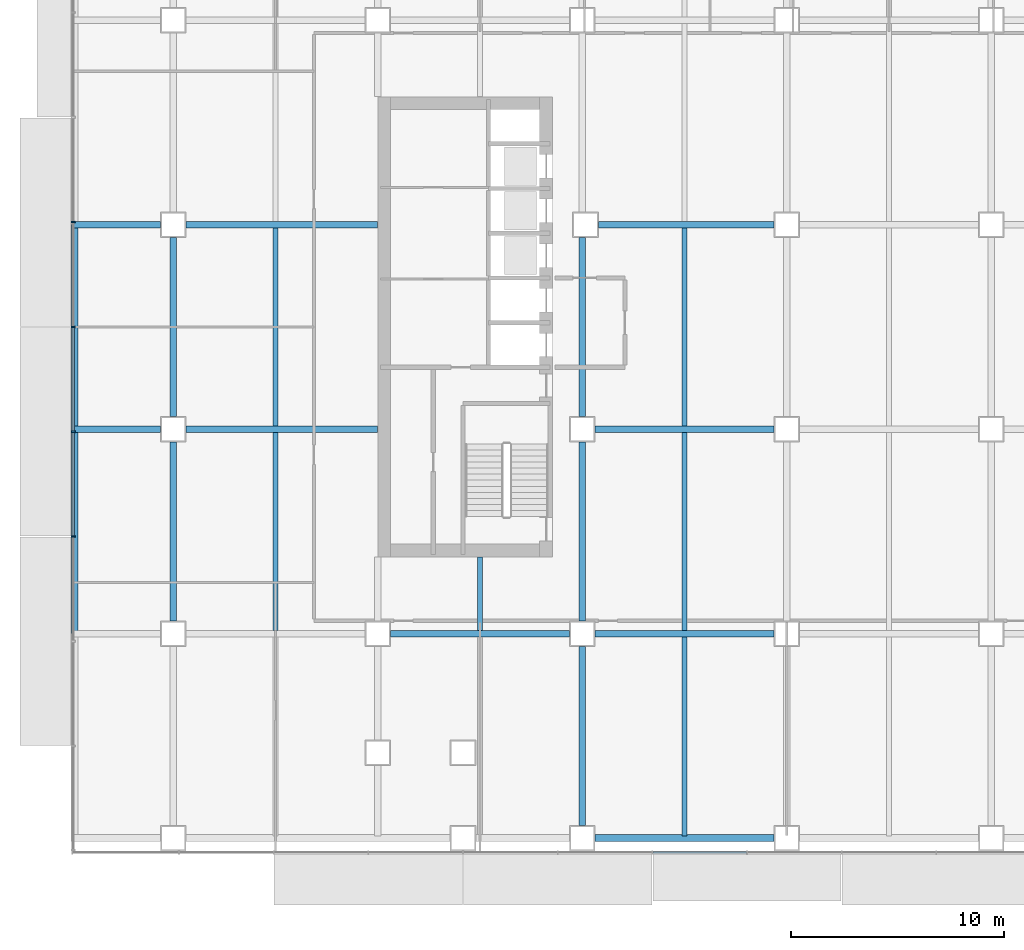
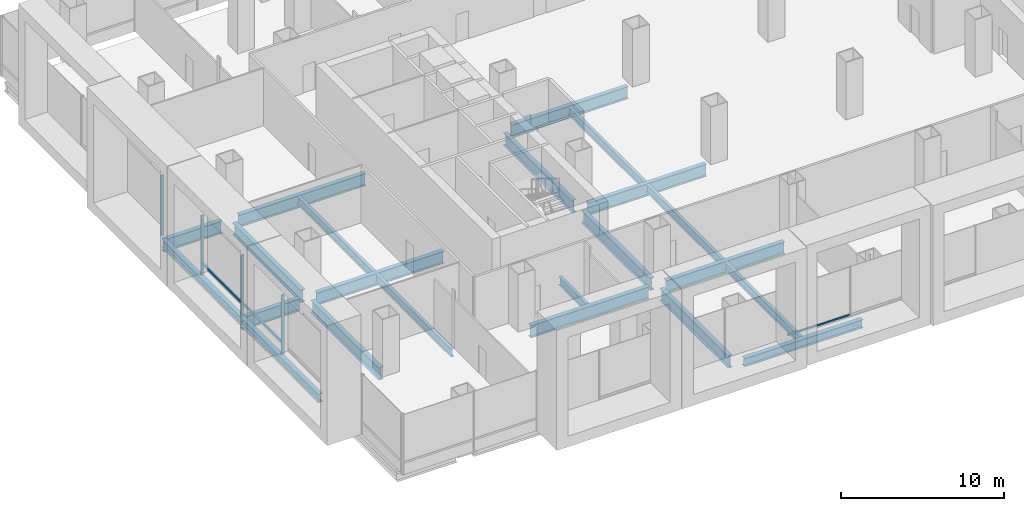
# One storey, part 3 of 23: 22 beams, 7 members, 2 elements without a shape of their own.
"""IFC4 building model written with IfcOpenShell, lengths in metres."""

from ifc_helpers import new_model, si_unit, direction, frame, origin, origin_2d, place, context, subcontext, project, spatial, rectangle, i_section, extrude, material, material_profile, profile_set, type_object, element, aggregate, save


model = new_model("IFC4")

# Units and contexts
model_context = context("Model", 3, precision=1e-05, world=origin(), true_north=direction((0.0, 1.0)))
body_context = subcontext(model_context, "Body", "Model", "MODEL_VIEW")
ifc_project = project(units=[si_unit("LENGTHUNIT", "METRE"), si_unit("AREAUNIT", "SQUARE_METRE"), si_unit("VOLUMEUNIT", "CUBIC_METRE"), si_unit("PLANEANGLEUNIT", "RADIAN"), si_unit("MASSUNIT", "GRAM", prefix="KILO")], contexts=[model_context])

# Site, building, storey
site_placement = place(None, origin())
site = spatial("IfcSite", under=ifc_project, at=site_placement, CompositionType="ELEMENT")
building_placement = place(site_placement, origin())
building = spatial("IfcBuilding", under=site, at=building_placement, Name="Cobrizo Arcos Hotel Tower", CompositionType="ELEMENT")
storey_placement = place(building_placement, frame((0.0, 0.0, 15.5)))
storey = spatial("IfcBuildingStorey", under=building, at=storey_placement, Name="L02", CompositionType="ELEMENT", Elevation=15.5)

# Curtain wall, member
ifc_material_1 = material(Name="Aluminium 6063-T6 anodised bronze", Category="aluminium")
curtain_wall_type_1 = type_object("IfcCurtainWallType", Name="CW-A guest facade", PredefinedType="NOTDEFINED", material=ifc_material_1)
curtain_wall_1_placement = place(storey_placement, origin())
curtain_wall_1 = element("IfcCurtainWall", 1, at=curtain_wall_1_placement, inside=storey, type_object=curtain_wall_type_1, Name="CW-A L02 S face", PredefinedType="NOTDEFINED")
ifc_material_profile_1 = material_profile(ifc_material_1, rectangle(XDim=0.10009765625, YDim=0.1201171875, at=origin_2d()), Name="CW-A transom 120x100")
ifc_profile_set_1 = profile_set([ifc_material_profile_1], Name="Aluminium 6063-T6 anodised bronze")
member_type_1 = type_object("IfcMemberType", Name="CW-A transom 120x100", PredefinedType="USERDEFINED", material=ifc_profile_set_1)
member_1_placement = place(storey_placement, frame((-11.0810546875, -24.675048828125, 0.929931640625), z_axis=(1.0, 0.0, 0.0), x_axis=(0.0, 1.0, 0.0)))
member_1 = element("IfcMember", 2, at=member_1_placement, type_object=member_type_1, Name="CW-A transom 150", ObjectType="TRANSOM", PredefinedType="USERDEFINED", context=body_context, shape_type="SweptSolid", body=[
    extrude(rectangle(XDim=0.10009765625, YDim=0.1201171875, at=origin_2d()), origin(), (0.0, 0.0, 1.0), 4.38427734375),
])
aggregate(curtain_wall_1, [member_1])

# Curtain wall, members
curtain_wall_type_2 = type_object("IfcCurtainWallType", Name="CW-B podium glazing", PredefinedType="NOTDEFINED", material=ifc_material_1)
curtain_wall_2_placement = place(storey_placement, origin())
curtain_wall_2 = element("IfcCurtainWall", 3, at=curtain_wall_2_placement, inside=storey, type_object=curtain_wall_type_2, Name="CW-B L02 W face", PredefinedType="NOTDEFINED")
ifc_material_profile_2 = material_profile(ifc_material_1, rectangle(XDim=0.199951171875, YDim=0.080078125, at=origin_2d()), Name="CW-B mullion 200x80")
ifc_profile_set_2 = profile_set([ifc_material_profile_2], Name="Aluminium 6063-T6 anodised bronze")
member_type_2 = type_object("IfcMemberType", Name="CW-B mullion 200x80", PredefinedType="MULLION", material=ifc_profile_set_2)
member_2_placement = place(storey_placement, frame((-38.300048828125, 4.919921875, 0.0), z_axis=(0.0, 0.0, 1.0), x_axis=(-1.0, 0.0, 0.0)))
member_2 = element("IfcMember", 4, at=member_2_placement, type_object=member_type_2, Name="CW-B mullion 5", PredefinedType="MULLION", context=body_context, shape_type="SweptSolid", body=[
    extrude(rectangle(XDim=0.199951171875, YDim=0.080078125, at=origin_2d()), origin(), (0.0, 0.0, 1.0), 4.5),
])
member_3_placement = place(storey_placement, frame((-38.300048828125, 0.0, 0.0), z_axis=(0.0, 0.0, 1.0), x_axis=(-1.0, 0.0, 0.0)))
member_3 = element("IfcMember", 5, at=member_3_placement, type_object=member_type_2, Name="CW-B mullion 6", PredefinedType="MULLION", context=body_context, shape_type="SweptSolid", body=[
    extrude(rectangle(XDim=0.199951171875, YDim=0.080078125, at=origin_2d()), origin(), (0.0, 0.0, 1.0), 4.5),
])
member_4_placement = place(storey_placement, frame((-38.300048828125, -4.919921875, 0.0), z_axis=(0.0, 0.0, 1.0), x_axis=(-1.0, 0.0, 0.0)))
member_4 = element("IfcMember", 6, at=member_4_placement, type_object=member_type_2, Name="CW-B mullion 7", PredefinedType="MULLION", context=body_context, shape_type="SweptSolid", body=[
    extrude(rectangle(XDim=0.199951171875, YDim=0.080078125, at=origin_2d()), origin(), (0.0, 0.0, 1.0), 4.5),
])
member_5_placement = place(storey_placement, frame((-38.300048828125, -9.840087890625, 0.0), z_axis=(0.0, 0.0, 1.0), x_axis=(-1.0, 0.0, 0.0)))
member_5 = element("IfcMember", 7, at=member_5_placement, type_object=member_type_2, Name="CW-B mullion 8", PredefinedType="MULLION", context=body_context, shape_type="SweptSolid", body=[
    extrude(rectangle(XDim=0.199951171875, YDim=0.080078125, at=origin_2d()), origin(), (0.0, 0.0, 1.0), 4.5),
])
ifc_material_profile_3 = material_profile(ifc_material_1, rectangle(XDim=0.1201171875, YDim=0.159912109375, at=origin_2d()), Name="CW-B transom 160x120")
ifc_profile_set_3 = profile_set([ifc_material_profile_3], Name="Aluminium 6063-T6 anodised bronze")
member_type_3 = type_object("IfcMemberType", Name="CW-B transom 160x120", PredefinedType="USERDEFINED", material=ifc_profile_set_3)
member_6_placement = place(storey_placement, frame((-38.300048828125, -0.0400390625, 0.89990234375), z_axis=(0.0, -1.0, 0.0), x_axis=(1.0, 0.0, 0.0)))
member_6 = element("IfcMember", 8, at=member_6_placement, type_object=member_type_3, Name="CW-B transom 139", ObjectType="TRANSOM", PredefinedType="USERDEFINED", context=body_context, shape_type="SweptSolid", body=[
    extrude(rectangle(XDim=0.1201171875, YDim=0.159912109375, at=origin_2d()), origin(), (0.0, 0.0, 1.0), 4.83984375),
])
member_7_placement = place(storey_placement, frame((-38.300048828125, -4.9599609375, 0.89990234375), z_axis=(0.0, -1.0, 0.0), x_axis=(1.0, 0.0, 0.0)))
member_7 = element("IfcMember", 9, at=member_7_placement, type_object=member_type_3, Name="CW-B transom 140", ObjectType="TRANSOM", PredefinedType="USERDEFINED", context=body_context, shape_type="SweptSolid", body=[
    extrude(rectangle(XDim=0.1201171875, YDim=0.159912109375, at=origin_2d()), origin(), (0.0, 0.0, 1.0), 4.840087890625),
])
aggregate(curtain_wall_2, [member_2, member_3, member_4, member_5, member_6, member_7])

# Beams
ifc_material_2 = material(Name="Steel ASTM A992 Grade 50", Category="steel")
ifc_material_profile_4 = material_profile(ifc_material_2, i_section(OverallWidth=0.32763671875, OverallDepth=0.622314453125, WebThickness=0.015380859375, FlangeThickness=0.0244140625, at=origin_2d()), Name="W24X131")
ifc_profile_set_4 = profile_set([ifc_material_profile_4], Name="Steel ASTM A992 Grade 50")
beam_type_1 = type_object("IfcBeamType", Name="W24X131 edge beam", PredefinedType="BEAM", material=ifc_profile_set_4)
beam_1_placement = place(storey_placement, frame((-38.236083984375, 4.800048828125, -0.510986328125), z_axis=(0.0, -1.0, 0.0), x_axis=(1.0, 0.0, 0.0)))
element("IfcBeam", 10, at=beam_1_placement, inside=storey, type_object=beam_type_1, Name="Edge beam EB1, L02, no. 010", PredefinedType="BEAM", context=body_context, shape_type="SweptSolid", body=[
    extrude(i_section(OverallWidth=0.32763671875, OverallDepth=0.622314453125, WebThickness=0.015380859375, FlangeThickness=0.0244140625, at=origin_2d()), origin(), (0.0, 0.0, 1.0), 9.60009765625),
])
beam_2_placement = place(storey_placement, frame((-38.236083984375, -4.800048828125, -0.510986328125), z_axis=(0.0, -1.0, 0.0), x_axis=(1.0, 0.0, 0.0)))
element("IfcBeam", 11, at=beam_2_placement, inside=storey, type_object=beam_type_1, Name="Edge beam EB1, L02, no. 011", PredefinedType="BEAM", context=body_context, shape_type="SweptSolid", body=[
    extrude(i_section(OverallWidth=0.32763671875, OverallDepth=0.622314453125, WebThickness=0.015380859375, FlangeThickness=0.0244140625, at=origin_2d()), origin(), (0.0, 0.0, 1.0), 9.599853515625),
])
ifc_material_profile_5 = material_profile(ifc_material_2, i_section(OverallWidth=0.32763671875, OverallDepth=0.622314453125, WebThickness=0.015380859375, FlangeThickness=0.0244140625, at=origin_2d()), Name="W24X131")
ifc_profile_set_5 = profile_set([ifc_material_profile_5], Name="Steel ASTM A992 Grade 50")
beam_type_2 = type_object("IfcBeamType", Name="W24X131 spandrel", PredefinedType="SPANDREL", material=ifc_profile_set_5)
beam_3_placement = place(storey_placement, frame((-13.800048828125, -24.0, -0.510986328125), z_axis=(1.0, 0.0, 0.0), x_axis=(0.0, 1.0, 0.0)))
element("IfcBeam", 12, at=beam_3_placement, inside=storey, type_object=beam_type_2, Name="Spandrel beam W24X131, L02, no. 010", PredefinedType="SPANDREL", context=body_context, shape_type="SweptSolid", body=[
    extrude(i_section(OverallWidth=0.32763671875, OverallDepth=0.622314453125, WebThickness=0.015380859375, FlangeThickness=0.0244140625, at=origin_2d()), origin(), (0.0, 0.0, 1.0), 8.400146484375),
])
ifc_material_profile_6 = material_profile(ifc_material_2, i_section(OverallWidth=0.23046875, OverallDepth=0.6171875, WebThickness=0.01318359375, FlangeThickness=0.022216796875, at=origin_2d()), Name="W24X94")
ifc_profile_set_6 = profile_set([ifc_material_profile_6], Name="Steel ASTM A992 Grade 50")
beam_type_3 = type_object("IfcBeamType", Name="W24X94 podium joist", PredefinedType="JOIST", material=ifc_profile_set_6)
beam_4_placement = place(storey_placement, frame((-28.800048828125, -14.246337890625, -0.508544921875), z_axis=(0.0, 1.0, 0.0), x_axis=(-1.0, 0.0, 0.0)))
element("IfcBeam", 13, at=beam_4_placement, inside=storey, type_object=beam_type_3, Name="Podium joist PJ1, L02, no. 002", PredefinedType="JOIST", context=body_context, shape_type="SweptSolid", body=[
    extrude(i_section(OverallWidth=0.23046875, OverallDepth=0.6171875, WebThickness=0.01318359375, FlangeThickness=0.022216796875, at=origin_2d()), origin(), (0.0, 0.0, 1.0), 9.292724609375),
])
beam_5_placement = place(storey_placement, frame((-28.800048828125, -4.646240234375, -0.508544921875), z_axis=(0.0, 1.0, 0.0), x_axis=(-1.0, 0.0, 0.0)))
element("IfcBeam", 14, at=beam_5_placement, inside=storey, type_object=beam_type_3, Name="Podium joist PJ1, L02, no. 003", PredefinedType="JOIST", context=body_context, shape_type="SweptSolid", body=[
    extrude(i_section(OverallWidth=0.23046875, OverallDepth=0.6171875, WebThickness=0.01318359375, FlangeThickness=0.022216796875, at=origin_2d()), origin(), (0.0, 0.0, 1.0), 9.29248046875),
])
beam_6_placement = place(storey_placement, frame((-19.199951171875, -14.246337890625, -0.508544921875), z_axis=(0.0, 1.0, 0.0), x_axis=(-1.0, 0.0, 0.0)))
element("IfcBeam", 15, at=beam_6_placement, inside=storey, type_object=beam_type_3, Name="Podium joist PJ1, L02, no. 007", PredefinedType="JOIST", context=body_context, shape_type="SweptSolid", body=[
    extrude(i_section(OverallWidth=0.23046875, OverallDepth=0.6171875, WebThickness=0.01318359375, FlangeThickness=0.022216796875, at=origin_2d()), origin(), (0.0, 0.0, 1.0), 3.436279296875),
])
beam_7_placement = place(storey_placement, frame((-9.60009765625, -23.909912109375, -0.508544921875), z_axis=(0.0, 1.0, 0.0), x_axis=(-1.0, 0.0, 0.0)))
element("IfcBeam", 16, at=beam_7_placement, inside=storey, type_object=beam_type_3, Name="Podium joist PJ1, L02, no. 010", PredefinedType="JOIST", context=body_context, shape_type="SweptSolid", body=[
    extrude(i_section(OverallWidth=0.23046875, OverallDepth=0.6171875, WebThickness=0.01318359375, FlangeThickness=0.022216796875, at=origin_2d()), origin(), (0.0, 0.0, 1.0), 9.356201171875),
])
beam_8_placement = place(storey_placement, frame((-9.60009765625, -14.246337890625, -0.508544921875), z_axis=(0.0, 1.0, 0.0), x_axis=(-1.0, 0.0, 0.0)))
element("IfcBeam", 17, at=beam_8_placement, inside=storey, type_object=beam_type_3, Name="Podium joist PJ1, L02, no. 011", PredefinedType="JOIST", context=body_context, shape_type="SweptSolid", body=[
    extrude(i_section(OverallWidth=0.23046875, OverallDepth=0.6171875, WebThickness=0.01318359375, FlangeThickness=0.022216796875, at=origin_2d()), origin(), (0.0, 0.0, 1.0), 9.292724609375),
])
beam_9_placement = place(storey_placement, frame((-9.60009765625, -4.646240234375, -0.508544921875), z_axis=(0.0, 1.0, 0.0), x_axis=(-1.0, 0.0, 0.0)))
element("IfcBeam", 18, at=beam_9_placement, inside=storey, type_object=beam_type_3, Name="Podium joist PJ1, L02, no. 012", PredefinedType="JOIST", context=body_context, shape_type="SweptSolid", body=[
    extrude(i_section(OverallWidth=0.23046875, OverallDepth=0.6171875, WebThickness=0.01318359375, FlangeThickness=0.022216796875, at=origin_2d()), origin(), (0.0, 0.0, 1.0), 9.29248046875),
])
ifc_material_profile_7 = material_profile(ifc_material_2, i_section(OverallWidth=0.307373046875, OverallDepth=0.927001953125, WebThickness=0.01953125, FlangeThickness=0.031982421875, at=origin_2d()), Name="W36X194")
ifc_profile_set_7 = profile_set([ifc_material_profile_7], Name="Steel ASTM A992 Grade 50")
beam_type_4 = type_object("IfcBeamType", Name="W36X194 podium girder", PredefinedType="BEAM", material=ifc_profile_set_7)
beam_10_placement = place(storey_placement, frame((-23.39990234375, -14.39990234375, -0.66357421875), z_axis=(1.0, 0.0, 0.0), x_axis=(0.0, 1.0, 0.0)))
element("IfcBeam", 19, at=beam_10_placement, inside=storey, type_object=beam_type_4, Name="Podium girder PG1, L02, no. 003", PredefinedType="BEAM", context=body_context, shape_type="SweptSolid", body=[
    extrude(i_section(OverallWidth=0.307373046875, OverallDepth=0.927001953125, WebThickness=0.01953125, FlangeThickness=0.031982421875, at=origin_2d()), origin(), (0.0, 0.0, 1.0), 8.39990234375),
])
beam_11_placement = place(storey_placement, frame((-13.800048828125, -14.39990234375, -0.66357421875), z_axis=(1.0, 0.0, 0.0), x_axis=(0.0, 1.0, 0.0)))
element("IfcBeam", 20, at=beam_11_placement, inside=storey, type_object=beam_type_4, Name="Podium girder PG1, L02, no. 004", PredefinedType="BEAM", context=body_context, shape_type="SweptSolid", body=[
    extrude(i_section(OverallWidth=0.307373046875, OverallDepth=0.927001953125, WebThickness=0.01953125, FlangeThickness=0.031982421875, at=origin_2d()), origin(), (0.0, 0.0, 1.0), 8.400146484375),
])
beam_12_placement = place(storey_placement, frame((-38.31005859375, -4.800048828125, -0.66357421875), z_axis=(1.0, 0.0, 0.0), x_axis=(0.0, 1.0, 0.0)))
element("IfcBeam", 21, at=beam_12_placement, inside=storey, type_object=beam_type_4, Name="Podium girder PG1, L02, no. 010", PredefinedType="BEAM", context=body_context, shape_type="SweptSolid", body=[
    extrude(i_section(OverallWidth=0.307373046875, OverallDepth=0.927001953125, WebThickness=0.01953125, FlangeThickness=0.031982421875, at=origin_2d()), origin(), (0.0, 0.0, 1.0), 4.110107421875),
])
beam_13_placement = place(storey_placement, frame((-33.0, -4.800048828125, -0.66357421875), z_axis=(1.0, 0.0, 0.0), x_axis=(0.0, 1.0, 0.0)))
element("IfcBeam", 22, at=beam_13_placement, inside=storey, type_object=beam_type_4, Name="Podium girder PG1, L02, no. 011", PredefinedType="BEAM", context=body_context, shape_type="SweptSolid", body=[
    extrude(i_section(OverallWidth=0.307373046875, OverallDepth=0.927001953125, WebThickness=0.01953125, FlangeThickness=0.031982421875, at=origin_2d()), origin(), (0.0, 0.0, 1.0), 8.989990234375),
])
beam_14_placement = place(storey_placement, frame((-13.800048828125, -4.800048828125, -0.66357421875), z_axis=(1.0, 0.0, 0.0), x_axis=(0.0, 1.0, 0.0)))
element("IfcBeam", 23, at=beam_14_placement, inside=storey, type_object=beam_type_4, Name="Podium girder PG1, L02, no. 012", PredefinedType="BEAM", context=body_context, shape_type="SweptSolid", body=[
    extrude(i_section(OverallWidth=0.307373046875, OverallDepth=0.927001953125, WebThickness=0.01953125, FlangeThickness=0.031982421875, at=origin_2d()), origin(), (0.0, 0.0, 1.0), 8.400146484375),
])
beam_15_placement = place(storey_placement, frame((-38.31005859375, 4.800048828125, -0.66357421875), z_axis=(1.0, 0.0, 0.0), x_axis=(0.0, 1.0, 0.0)))
element("IfcBeam", 24, at=beam_15_placement, inside=storey, type_object=beam_type_4, Name="Podium girder PG1, L02, no. 018", PredefinedType="BEAM", context=body_context, shape_type="SweptSolid", body=[
    extrude(i_section(OverallWidth=0.307373046875, OverallDepth=0.927001953125, WebThickness=0.01953125, FlangeThickness=0.031982421875, at=origin_2d()), origin(), (0.0, 0.0, 1.0), 4.110107421875),
])
beam_16_placement = place(storey_placement, frame((-33.0, 4.800048828125, -0.66357421875), z_axis=(1.0, 0.0, 0.0), x_axis=(0.0, 1.0, 0.0)))
element("IfcBeam", 25, at=beam_16_placement, inside=storey, type_object=beam_type_4, Name="Podium girder PG1, L02, no. 019", PredefinedType="BEAM", context=body_context, shape_type="SweptSolid", body=[
    extrude(i_section(OverallWidth=0.307373046875, OverallDepth=0.927001953125, WebThickness=0.01953125, FlangeThickness=0.031982421875, at=origin_2d()), origin(), (0.0, 0.0, 1.0), 8.989990234375),
])
beam_17_placement = place(storey_placement, frame((-13.64990234375, 4.800048828125, -0.66357421875), z_axis=(1.0, 0.0, 0.0), x_axis=(0.0, 1.0, 0.0)))
element("IfcBeam", 26, at=beam_17_placement, inside=storey, type_object=beam_type_4, Name="Podium girder PG1, L02, no. 020", PredefinedType="BEAM", context=body_context, shape_type="SweptSolid", body=[
    extrude(i_section(OverallWidth=0.307373046875, OverallDepth=0.927001953125, WebThickness=0.01953125, FlangeThickness=0.031982421875, at=origin_2d()), origin(), (0.0, 0.0, 1.0), 8.25),
])
beam_18_placement = place(storey_placement, frame((-33.60009765625, -13.800048828125, -0.66357421875), z_axis=(0.0, 1.0, 0.0), x_axis=(-1.0, 0.0, 0.0)))
element("IfcBeam", 27, at=beam_18_placement, inside=storey, type_object=beam_type_4, Name="Podium girder PG1, L02, no. 036", PredefinedType="BEAM", context=body_context, shape_type="SweptSolid", body=[
    extrude(i_section(OverallWidth=0.307373046875, OverallDepth=0.927001953125, WebThickness=0.01953125, FlangeThickness=0.031982421875, at=origin_2d()), origin(), (0.0, 0.0, 1.0), 8.400146484375),
])
for number, where, z_axis, x_axis, name in (
    (28, (-33.60009765625, -4.199951171875, -0.66357421875), (0.0, 1.0, 0.0), (-1.0, 0.0, 0.0), "Podium girder PG1, L02, no. 037"),
    (29, (-14.39990234375, -23.39990234375, -0.66357421875), (0.0, 1.0, 0.0), (-1.0, 0.0, 0.0), "Podium girder PG1, L02, no. 046"),
):
    element("IfcBeam", number, at=place(storey_placement, frame(where, z_axis=z_axis, x_axis=x_axis)), inside=storey, type_object=beam_type_4, Name=name, PredefinedType="BEAM", context=body_context, shape_type="SweptSolid", body=[
        extrude(i_section(OverallWidth=0.307373046875, OverallDepth=0.927001953125, WebThickness=0.01953125, FlangeThickness=0.031982421875, at=origin_2d()), origin(), (0.0, 0.0, 1.0), 8.39990234375),
    ])
beam_19_placement = place(storey_placement, frame((-14.39990234375, -13.800048828125, -0.66357421875), z_axis=(0.0, 1.0, 0.0), x_axis=(-1.0, 0.0, 0.0)))
element("IfcBeam", 30, at=beam_19_placement, inside=storey, type_object=beam_type_4, Name="Podium girder PG1, L02, no. 047", PredefinedType="BEAM", context=body_context, shape_type="SweptSolid", body=[
    extrude(i_section(OverallWidth=0.307373046875, OverallDepth=0.927001953125, WebThickness=0.01953125, FlangeThickness=0.031982421875, at=origin_2d()), origin(), (0.0, 0.0, 1.0), 8.400146484375),
])
beam_20_placement = place(storey_placement, frame((-14.39990234375, -4.199951171875, -0.66357421875), z_axis=(0.0, 1.0, 0.0), x_axis=(-1.0, 0.0, 0.0)))
element("IfcBeam", 31, at=beam_20_placement, inside=storey, type_object=beam_type_4, Name="Podium girder PG1, L02, no. 048", PredefinedType="BEAM", context=body_context, shape_type="SweptSolid", body=[
    extrude(i_section(OverallWidth=0.307373046875, OverallDepth=0.927001953125, WebThickness=0.01953125, FlangeThickness=0.031982421875, at=origin_2d()), origin(), (0.0, 0.0, 1.0), 8.39990234375),
])

save(model, "model.ifc")
